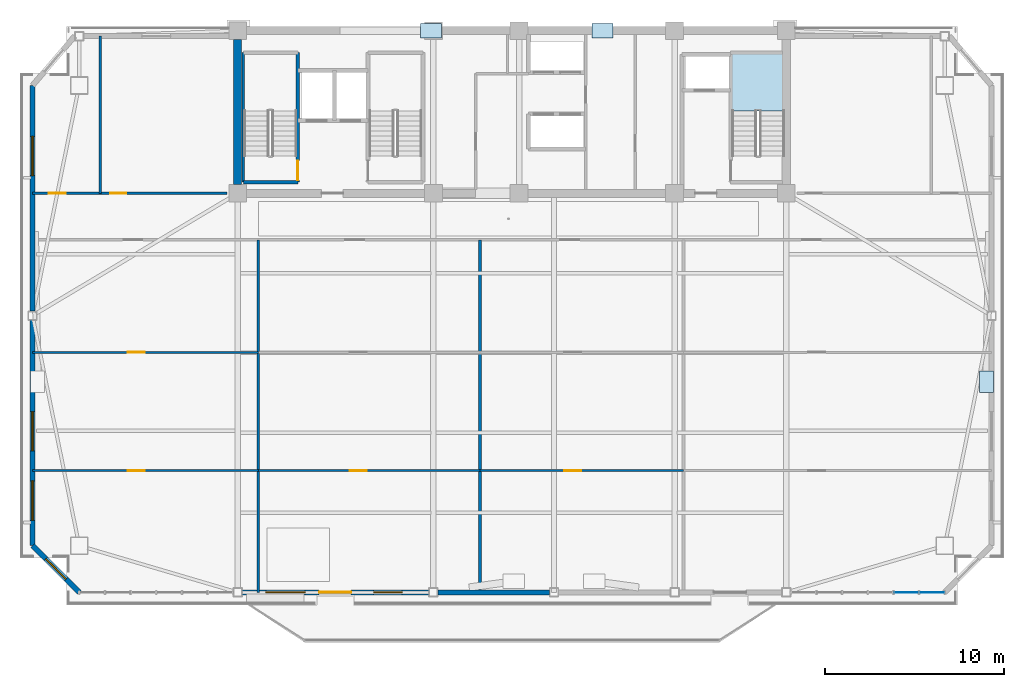
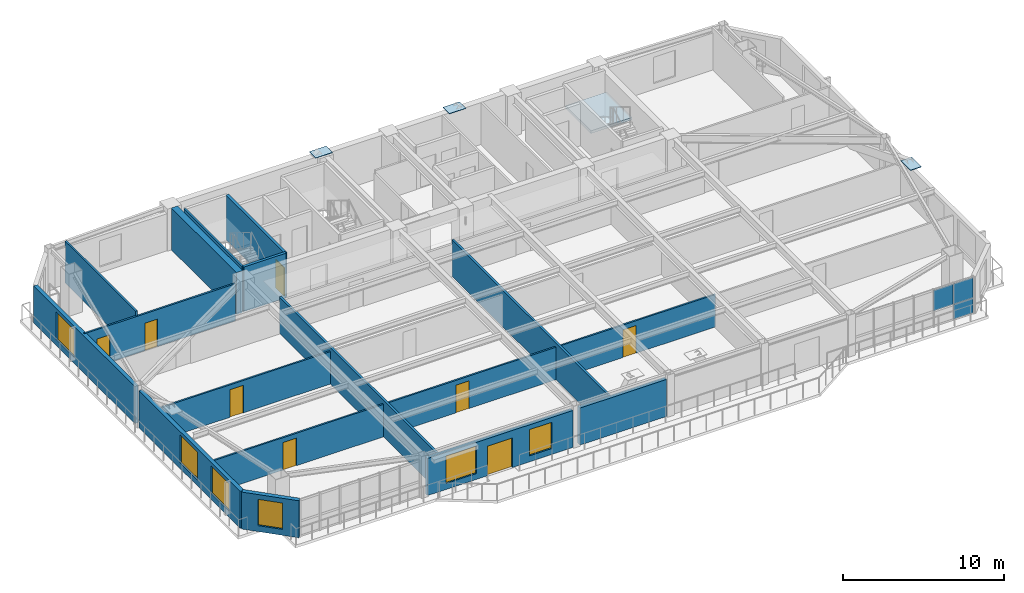
# One storey, part 8 of 17: 17 walls, 8 doors, 6 plates, 6 windows, 1 slab, 14 openings, 2 elements without a shape of their own.
"""IFC4 building model written with IfcOpenShell, lengths in metres."""

from ifc_helpers import new_model, si_unit, direction, frame, frame_2d, origin, origin_2d, place, context, subcontext, project, spatial, polyline, rectangle, outline, extrude, source, transform, mapped, material, layer, layer_set, type_object, element, fill, aggregate, save


model = new_model("IFC4")

# Units and contexts
model_context = context("Model", 3, precision=1e-05, world=origin(), true_north=direction((0.0, 1.0)))
body_context = subcontext(model_context, "Body", "Model", "MODEL_VIEW")
ifc_project = project(units=[si_unit("LENGTHUNIT", "METRE"), si_unit("AREAUNIT", "SQUARE_METRE"), si_unit("VOLUMEUNIT", "CUBIC_METRE"), si_unit("PLANEANGLEUNIT", "RADIAN"), si_unit("MASSUNIT", "GRAM", prefix="KILO")], contexts=[model_context])

# Site, building, storey
site_placement = place(None, origin())
site = spatial("IfcSite", under=ifc_project, at=site_placement, CompositionType="ELEMENT")
building_placement = place(site_placement, origin())
building = spatial("IfcBuilding", under=site, at=building_placement, Name="Giltprow Tower", CompositionType="ELEMENT")
storey_placement = place(building_placement, frame((0.0, 0.0, 251.89990234375)))
storey = spatial("IfcBuildingStorey", under=building, at=storey_placement, Name="L64", CompositionType="ELEMENT", Elevation=251.89990234375)

# Stair, slab
ifc_material_1 = material(Name="Concrete C40", Category="concrete")
stair_type = type_object("IfcStairType", Name="STR-ST-3", PredefinedType="HALF_TURN_STAIR", material=ifc_material_1)
stair_placement = place(storey_placement, origin())
stair = element("IfcStair", 1, at=stair_placement, inside=storey, type_object=stair_type, Name="L64 Core Exit Stair ST-3", PredefinedType="HALF_TURN_STAIR")
ifc_layer_1 = layer(ifc_material_1, 0.196044921875, Name="Concrete C40")
ifc_layer_set_1 = layer_set([ifc_layer_1], Name="Concrete C40")
slab_type = type_object("IfcSlabType", Name="SLD-ST-3", PredefinedType="LANDING", material=ifc_layer_set_1)
slab_placement = place(storey_placement, frame((0.0, 0.0, 1.504150390625)))
slab = element("IfcSlab", 2, at=slab_placement, type_object=slab_type, Name="ST-3 landing 1", PredefinedType="LANDING", context=body_context, shape_type="SweptSolid", body=[
    extrude(outline(polyline([(50.4599609375, 42.070068359375), (50.4599609375, 45.25), (47.5, 45.25), (47.5, 42.070068359375), (50.4599609375, 42.070068359375)])), origin(), (0.0, 0.0, 1.0), 0.196044921875),
])
aggregate(stair, [slab])

# Plates
ifc_material_2 = material(Name="Structural steel Q420GJC", Category="steel")
plate_type_1 = type_object("IfcPlateType", Name="PLT-CAP-SEAL", PredefinedType="USERDEFINED", material=ifc_material_2)
shared_shape_1 = source(origin(), body_context, "Body", "SweptSolid", [
    extrude(rectangle(XDim=1.199951171875, YDim=0.800048828125, at=origin_2d()), origin(), (0.0, 0.0, 1.0), 0.034912109375),
])
for number, where, z_axis, x_axis, name in (
    (3, (30.6669921875, 46.550048828125, 3.24267578125), (0.0, 0.0, 1.0), (1.0, 0.0, 0.0), "Mega-Brace Node L64-N-LB"),
    (4, (40.26708984375, 46.550048828125, 3.24267578125), (0.0, 0.0, 1.0), (1.0, 0.0, 0.0), "Mega-Brace Node L64-N-RB"),
    (5, (61.760009765625, 26.904052734375, 3.3828125), (0.0, 0.0, 1.0), (0.0, 1.0, 0.0), "Mega-Brace Node L64-E-DB"),
):
    element("IfcPlate", number, at=place(storey_placement, frame(where, z_axis=z_axis, x_axis=x_axis)), inside=storey, type_object=plate_type_1, Name=name, ObjectType="SPLICE", PredefinedType="USERDEFINED", context=body_context, shape_type="MappedRepresentation", body=[
        mapped(shared_shape_1, transform((0.0, 0.0, 0.0), x_axis=(1.0, 0.0, 0.0), y_axis=(0.0, 1.0, 0.0), z_axis=(0.0, 0.0, 1.0), scale=1.0)),
    ])

# Curtain wall, plates
ifc_material_3 = material(Name="Anodized bronze", Category="metal")
ifc_layer_2 = layer(ifc_material_3, 0.179931640625, Name="Anodized bronze")
ifc_layer_set_2 = layer_set([ifc_layer_2], Name="Anodized bronze")
curtain_wall_type = type_object("IfcCurtainWallType", Name="CW-RES-SKY", PredefinedType="NOTDEFINED", material=ifc_layer_set_2)
curtain_wall_placement = place(storey_placement, origin())
curtain_wall = element("IfcCurtainWall", 6, at=curtain_wall_placement, inside=storey, type_object=curtain_wall_type, Name="L64 South Recessed Curtain Wall 6", PredefinedType="NOTDEFINED")
ifc_material_4 = material(Name="Insulated glass", Category="glass")
plate_type_2 = type_object("IfcPlateType", Name="CW-PANEL-IGU-28", PredefinedType="CURTAIN_PANEL", material=ifc_material_4)
shared_shape_2 = source(origin(), body_context, "Body", "SweptSolid", [
    extrude(rectangle(XDim=1.406982421875, YDim=0.028076171875, at=origin_2d()), origin(), (0.0, 0.0, 1.0), 1.114013671875),
])
plate_1_placement = place(storey_placement, frame((58.702880859375, 15.113037109375, 0.05419921875), z_axis=(0.0, 0.0, 1.0), x_axis=(1.0, 0.0, 0.0)))
plate_1 = element("IfcPlate", 7, at=plate_1_placement, type_object=plate_type_2, Name="L64 South Recessed Curtain Wall 6 Glazing Panel 6-1", PredefinedType="CURTAIN_PANEL", context=body_context, shape_type="MappedRepresentation", body=[
    mapped(shared_shape_2, transform((0.0, 0.0, 0.0), x_axis=(1.0, 0.0, 0.0), y_axis=(0.0, 1.0, 0.0), z_axis=(0.0, 0.0, 1.0), scale=1.0)),
])
shared_shape_3 = source(origin(), body_context, "Body", "SweptSolid", [
    extrude(rectangle(XDim=1.406982421875, YDim=0.028076171875, at=origin_2d()), origin(), (0.0, 0.0, 1.0), 1.56494140625),
])
plate_2_placement = place(storey_placement, frame((57.26611328125, 15.113037109375, 1.196533203125), z_axis=(0.0, 0.0, 1.0), x_axis=(1.0, 0.0, 0.0)))
plate_2 = element("IfcPlate", 8, at=plate_2_placement, type_object=plate_type_2, Name="L64 South Recessed Curtain Wall 6 Glazing Panel 5-2", PredefinedType="CURTAIN_PANEL", context=body_context, shape_type="MappedRepresentation", body=[
    mapped(shared_shape_3, transform((0.0, 0.0, 0.0), x_axis=(1.0, 0.0, 0.0), y_axis=(0.0, 1.0, 0.0), z_axis=(0.0, 0.0, 1.0), scale=1.0)),
])
plate_3_placement = place(storey_placement, frame((58.702880859375, 15.113037109375, 1.196533203125), z_axis=(0.0, 0.0, 1.0), x_axis=(1.0, 0.0, 0.0)))
plate_3 = element("IfcPlate", 9, at=plate_3_placement, type_object=plate_type_2, Name="L64 South Recessed Curtain Wall 6 Glazing Panel 6-2", PredefinedType="CURTAIN_PANEL", context=body_context, shape_type="MappedRepresentation", body=[
    mapped(shared_shape_3, transform((0.0, 0.0, 0.0), x_axis=(1.0, 0.0, 0.0), y_axis=(0.0, 1.0, 0.0), z_axis=(0.0, 0.0, 1.0), scale=1.0)),
])
aggregate(curtain_wall, [plate_2, plate_1, plate_3])

# Wall, opening, window
ifc_material_5 = material(Name="Precast concrete C40", Category="concrete")
ifc_layer_3 = layer(ifc_material_5, 0.300048828125, Name="Precast concrete C40")
ifc_layer_set_3 = layer_set([ifc_layer_3], Name="Precast concrete C40")
wall_type_1 = type_object("IfcWallType", Name="EW-NOTCH-CHAMFER-300", PredefinedType="SOLIDWALL", material=ifc_layer_set_3)
wall_1_placement = place(storey_placement, frame((8.364013671875, 17.72802734375, 0.0), z_axis=(0.0, 0.0, 1.0), x_axis=(0.707106781187, -0.707106781187, 0.0)))
wall_1 = element("IfcWall", 10, at=wall_1_placement, inside=storey, type_object=wall_type_1, Name="L64 Corner Notch Wall SW", PredefinedType="SOLIDWALL", context=body_context, shape_type="SweptSolid", body=[
    extrude(rectangle(XDim=3.6982421875, YDim=0.300048828125, at=frame_2d((1.84912109375, 0.0))), origin(), (0.0, 0.0, 1.0), 2.815185546875),
])
opening_1_placement = place(wall_1_placement, frame((1.049072265625, 0.0, 0.449951171875)))
opening_1 = element("IfcOpeningElement", 11, at=opening_1_placement, cuts=wall_1, Name="Opening WN17", PredefinedType="OPENING", context=body_context, shape_type="SweptSolid", body=[
    extrude(rectangle(XDim=1.60009765625, YDim=2.0, at=frame_2d((0.800048828125, 1.0))), frame((0.0, 0.159912109375, 0.0), z_axis=(0.0, -1.0, 0.0), x_axis=(1.0, 0.0, 0.0)), (0.0, 0.0, 1.0), 0.320068359375),
])
window_type_1 = type_object("IfcWindowType", Name="WN-COR-1600x2000", PartitioningType="SINGLE_PANEL", PredefinedType="WINDOW", material=ifc_material_4)
shared_shape_4 = source(origin(), body_context, "Body", "SweptSolid", [
    extrude(rectangle(XDim=1.60009765625, YDim=2.0, at=frame_2d((0.800048828125, 1.0))), frame((0.0, 0.030029296875, 0.0), z_axis=(0.0, -1.0, 0.0), x_axis=(1.0, 0.0, 0.0)), (0.0, 0.0, 1.0), 0.06005859375),
])
window_1_placement = place(opening_1_placement, origin())
window_1 = element("IfcWindow", 12, at=window_1_placement, inside=storey, type_object=window_type_1, Name="L64 Corner Notch Window SW", OverallHeight=2.0, OverallWidth=1.60009765625, PartitioningType="SINGLE_PANEL", PredefinedType="WINDOW", context=body_context, shape_type="MappedRepresentation", body=[
    mapped(shared_shape_4, transform((0.0, 0.0, 0.0), x_axis=(1.0, 0.0, 0.0), y_axis=(0.0, 1.0, 0.0), z_axis=(0.0, 0.0, 1.0), scale=1.0)),
])
fill(opening_1, window_1)

# Wall, openings, windows, door
ifc_layer_4 = layer(ifc_material_5, 0.280029296875, Name="Precast concrete C40")
ifc_layer_set_4 = layer_set([ifc_layer_4], Name="Precast concrete C40")
wall_type_2 = type_object("IfcWallType", Name="EW-TOW-BRONZE-280", PredefinedType="SOLIDWALL", material=ifc_layer_set_4)
wall_2_placement = place(storey_placement, frame((20.10009765625, 15.113037109375, 0.0), z_axis=(0.0, 0.0, 1.0), x_axis=(1.0, 0.0, 0.0)))
wall_2 = element("IfcWall", 13, at=wall_2_placement, inside=storey, type_object=wall_type_2, Name="L64 South Expressed Frame Wall 2", PredefinedType="SOLIDWALL", context=body_context, shape_type="SweptSolid", body=[
    extrude(rectangle(XDim=10.449951171875, YDim=0.280029296875, at=frame_2d((5.22509765625, 0.0))), origin(), (0.0, 0.0, 1.0), 2.815185546875),
])
opening_2_placement = place(wall_2_placement, frame((4.300048828125, 0.0, 0.0)))
opening_2 = element("IfcOpeningElement", 14, at=opening_2_placement, cuts=wall_2, Name="Opening ED25", PredefinedType="OPENING", context=body_context, shape_type="SweptSolid", body=[
    extrude(rectangle(XDim=1.800048828125, YDim=2.25, at=frame_2d((0.89990234375, 1.125))), frame((0.0, 0.14990234375, 0.0), z_axis=(0.0, -1.0, 0.0), x_axis=(1.0, 0.0, 0.0)), (0.0, 0.0, 1.0), 0.300048828125),
])
opening_3_placement = place(wall_2_placement, frame((1.320068359375, 0.0, 0.449951171875)))
opening_3 = element("IfcOpeningElement", 15, at=opening_3_placement, cuts=wall_2, Name="Opening WN27", PredefinedType="OPENING", context=body_context, shape_type="SweptSolid", body=[
    extrude(rectangle(XDim=2.199951171875, YDim=2.10009765625, at=frame_2d((1.10009765625, 1.050048828125))), frame((0.0, 0.14990234375, 0.0), z_axis=(0.0, -1.0, 0.0), x_axis=(1.0, 0.0, 0.0)), (0.0, 0.0, 1.0), 0.300048828125),
])
opening_4_placement = place(wall_2_placement, frame((7.35009765625, 0.0, 0.449951171875)))
opening_4 = element("IfcOpeningElement", 16, at=opening_4_placement, cuts=wall_2, Name="Opening WN17", PredefinedType="OPENING", context=body_context, shape_type="SweptSolid", body=[
    extrude(rectangle(XDim=1.60009765625, YDim=2.0, at=frame_2d((0.800048828125, 1.0))), frame((0.0, 0.14990234375, 0.0), z_axis=(0.0, -1.0, 0.0), x_axis=(1.0, 0.0, 0.0)), (0.0, 0.0, 1.0), 0.300048828125),
])
window_2_placement = place(opening_4_placement, origin())
window_2 = element("IfcWindow", 17, at=window_2_placement, inside=storey, type_object=window_type_1, Name="L64 South Window 2B", OverallHeight=2.0, OverallWidth=1.60009765625, PartitioningType="SINGLE_PANEL", PredefinedType="WINDOW", context=body_context, shape_type="MappedRepresentation", body=[
    mapped(shared_shape_4, transform((0.0, 0.0, 0.0), x_axis=(1.0, 0.0, 0.0), y_axis=(0.0, 1.0, 0.0), z_axis=(0.0, 0.0, 1.0), scale=1.0)),
])
fill(opening_4, window_2)
ifc_material_6 = material(Name="Anodized bronze and glass", Category="glass")
door_type_1 = type_object("IfcDoorType", Name="DR-BALC-SLIDE-1800", OperationType="SLIDING_TO_LEFT", PredefinedType="DOOR", material=ifc_material_6)
shared_shape_5 = source(origin(), body_context, "Body", "SweptSolid", [
    extrude(rectangle(XDim=1.800048828125, YDim=2.25, at=frame_2d((0.89990234375, 1.125))), frame((0.0, 0.02490234375, 0.0), z_axis=(0.0, -1.0, 0.0), x_axis=(1.0, 0.0, 0.0)), (0.0, 0.0, 1.0), 0.050048828125),
])
door_1_placement = place(opening_2_placement, origin())
door_1 = element("IfcDoor", 18, at=door_1_placement, inside=storey, type_object=door_type_1, Name="L64 Waterfront Balcony Sliding Door 1", OperationType="SLIDING_TO_LEFT", OverallHeight=2.25, OverallWidth=1.800048828125, PredefinedType="DOOR", context=body_context, shape_type="MappedRepresentation", body=[
    mapped(shared_shape_5, transform((0.0, 0.0, 0.0), x_axis=(1.0, 0.0, 0.0), y_axis=(0.0, 1.0, 0.0), z_axis=(0.0, 0.0, 1.0), scale=1.0)),
])
fill(opening_2, door_1)
window_type_2 = type_object("IfcWindowType", Name="WN-RES-2200x2100", PartitioningType="TRIPLE_PANEL_VERTICAL", PredefinedType="WINDOW", material=ifc_material_4)
shared_shape_6 = source(origin(), body_context, "Body", "SweptSolid", [
    extrude(rectangle(XDim=2.199951171875, YDim=2.10009765625, at=frame_2d((1.10009765625, 1.050048828125))), frame((0.0, 0.030029296875, 0.0), z_axis=(0.0, -1.0, 0.0), x_axis=(1.0, 0.0, 0.0)), (0.0, 0.0, 1.0), 0.06005859375),
])
window_3_placement = place(opening_3_placement, origin())
window_3 = element("IfcWindow", 19, at=window_3_placement, inside=storey, type_object=window_type_2, Name="L64 South Window 2A", OverallHeight=2.10009765625, OverallWidth=2.199951171875, PartitioningType="SINGLE_PANEL", PredefinedType="WINDOW", context=body_context, shape_type="MappedRepresentation", body=[
    mapped(shared_shape_6, transform((0.0, 0.0, 0.0), x_axis=(1.0, 0.0, 0.0), y_axis=(0.0, 1.0, 0.0), z_axis=(0.0, 0.0, 1.0), scale=1.0)),
])
fill(opening_3, window_3)

# Wall
wall_3_placement = place(storey_placement, frame((31.050048828125, 15.113037109375, 0.0), z_axis=(0.0, 0.0, 1.0), x_axis=(1.0, 0.0, 0.0)))
element("IfcWall", 20, at=wall_3_placement, inside=storey, type_object=wall_type_2, Name="L64 South Expressed Frame Wall 3", PredefinedType="SOLIDWALL", context=body_context, shape_type="SweptSolid", body=[
    extrude(rectangle(XDim=6.25, YDim=0.280029296875, at=frame_2d((3.125, 0.0))), origin(), (0.0, 0.0, 1.0), 2.815185546875),
])

# Wall, openings, windows
wall_4_placement = place(storey_placement, frame((8.364013671875, 17.72802734375, 0.0), z_axis=(0.0, 0.0, 1.0), x_axis=(0.0, 1.0, 0.0)))
wall_4 = element("IfcWall", 21, at=wall_4_placement, inside=storey, type_object=wall_type_2, Name="L64 W Wing Masonry Wall 1", PredefinedType="SOLIDWALL", context=body_context, shape_type="SweptSolid", body=[
    extrude(rectangle(XDim=12.62890625, YDim=0.280029296875, at=frame_2d((6.314453125, 0.0))), origin(), (0.0, 0.0, 1.0), 2.815185546875),
])
opening_5_placement = place(wall_4_placement, frame((1.422119140625, 0.0, 0.449951171875)))
opening_5 = element("IfcOpeningElement", 22, at=opening_5_placement, cuts=wall_4, Name="Opening WN27", PredefinedType="OPENING", context=body_context, shape_type="SweptSolid", body=[
    extrude(rectangle(XDim=2.199951171875, YDim=2.10009765625, at=frame_2d((1.10009765625, 1.050048828125))), frame((0.0, 0.14990234375, 0.0), z_axis=(0.0, -1.0, 0.0), x_axis=(1.0, 0.0, 0.0)), (0.0, 0.0, 1.0), 0.300048828125),
])
opening_6_placement = place(wall_4_placement, frame((5.31005859375, 0.0, 0.449951171875)))
opening_6 = element("IfcOpeningElement", 23, at=opening_6_placement, cuts=wall_4, Name="Opening WN27", PredefinedType="OPENING", context=body_context, shape_type="SweptSolid", body=[
    extrude(rectangle(XDim=2.199951171875, YDim=2.10009765625, at=frame_2d((1.10009765625, 1.050048828125))), frame((0.0, 0.14990234375, 0.0), z_axis=(0.0, -1.0, 0.0), x_axis=(1.0, 0.0, 0.0)), (0.0, 0.0, 1.0), 0.300048828125),
])
window_4_placement = place(opening_5_placement, origin())
window_4 = element("IfcWindow", 24, at=window_4_placement, inside=storey, type_object=window_type_2, Name="L64 W Wing Window 1-1A", OverallHeight=2.10009765625, OverallWidth=2.199951171875, PartitioningType="SINGLE_PANEL", PredefinedType="WINDOW", context=body_context, shape_type="MappedRepresentation", body=[
    mapped(shared_shape_6, transform((0.0, 0.0, 0.0), x_axis=(1.0, 0.0, 0.0), y_axis=(0.0, 1.0, 0.0), z_axis=(0.0, 0.0, 1.0), scale=1.0)),
])
fill(opening_5, window_4)
window_5_placement = place(opening_6_placement, origin())
window_5 = element("IfcWindow", 25, at=window_5_placement, inside=storey, type_object=window_type_2, Name="L64 W Wing Window 1-1B", OverallHeight=2.10009765625, OverallWidth=2.199951171875, PartitioningType="SINGLE_PANEL", PredefinedType="WINDOW", context=body_context, shape_type="MappedRepresentation", body=[
    mapped(shared_shape_6, transform((0.0, 0.0, 0.0), x_axis=(1.0, 0.0, 0.0), y_axis=(0.0, 1.0, 0.0), z_axis=(0.0, 0.0, 1.0), scale=1.0)),
])
fill(opening_6, window_5)

# Wall, opening, window
wall_5_placement = place(storey_placement, frame((8.364013671875, 30.85693359375, 0.0), z_axis=(0.0, 0.0, 1.0), x_axis=(0.0, 1.0, 0.0)))
wall_5 = element("IfcWall", 26, at=wall_5_placement, inside=storey, type_object=wall_type_2, Name="L64 W Wing Masonry Wall 2", PredefinedType="SOLIDWALL", context=body_context, shape_type="SweptSolid", body=[
    extrude(rectangle(XDim=12.628173828125, YDim=0.280029296875, at=frame_2d((6.31396484375, 0.0))), origin(), (0.0, 0.0, 1.0), 2.815185546875),
])
opening_7_placement = place(wall_5_placement, frame((7.5830078125, 0.0, 0.449951171875)))
opening_7 = element("IfcOpeningElement", 27, at=opening_7_placement, cuts=wall_5, Name="Opening WN27", PredefinedType="OPENING", context=body_context, shape_type="SweptSolid", body=[
    extrude(rectangle(XDim=2.199951171875, YDim=2.10009765625, at=frame_2d((1.10009765625, 1.050048828125))), frame((0.0, 0.14990234375, 0.0), z_axis=(0.0, -1.0, 0.0), x_axis=(1.0, 0.0, 0.0)), (0.0, 0.0, 1.0), 0.300048828125),
])
window_6_placement = place(opening_7_placement, origin())
window_6 = element("IfcWindow", 28, at=window_6_placement, inside=storey, type_object=window_type_2, Name="L64 W Wing Window 2-1", OverallHeight=2.10009765625, OverallWidth=2.199951171875, PartitioningType="SINGLE_PANEL", PredefinedType="WINDOW", context=body_context, shape_type="MappedRepresentation", body=[
    mapped(shared_shape_6, transform((0.0, 0.0, 0.0), x_axis=(1.0, 0.0, 0.0), y_axis=(0.0, 1.0, 0.0), z_axis=(0.0, 0.0, 1.0), scale=1.0)),
])
fill(opening_7, window_6)

# Walls
ifc_material_7 = material(Name="Gypsum stud partition", Category="gypsum")
ifc_layer_5 = layer(ifc_material_7, 0.159912109375, Name="Gypsum stud partition")
ifc_layer_set_5 = layer_set([ifc_layer_5], Name="Gypsum stud partition")
wall_type_3 = type_object("IfcWallType", Name="IW-DEMISE-160", PredefinedType="PARTITIONING", material=ifc_layer_set_5)
for number, where, z_axis, x_axis, name in (
    (29, (21.0, 15.113037109375, 0.0), (0.0, 0.0, 1.0), (0.0, 1.0, 0.0), "L64 Apartment Party Wall 1"),
    (30, (33.39990234375, 15.113037109375, 0.0), (0.0, 0.0, 1.0), (0.0, 1.0, 0.0), "L64 Apartment Party Wall 2"),
):
    element("IfcWall", number, at=place(storey_placement, frame(where, z_axis=z_axis, x_axis=x_axis)), inside=storey, type_object=wall_type_3, Name=name, PredefinedType="PARTITIONING", context=body_context, shape_type="SweptSolid", body=[
        extrude(rectangle(XDim=19.737060546875, YDim=0.159912109375, at=frame_2d((9.86865234375, 0.0))), origin(), (0.0, 0.0, 1.0), 2.77001953125),
    ])

# Wall, opening, door
ifc_layer_6 = layer(ifc_material_7, 0.1201171875, Name="Gypsum stud partition")
ifc_layer_set_6 = layer_set([ifc_layer_6], Name="Gypsum stud partition")
wall_type_4 = type_object("IfcWallType", Name="IW-ROOM-120", PredefinedType="PARTITIONING", material=ifc_layer_set_6)
wall_6_placement = place(storey_placement, frame((8.364013671875, 21.927978515625, 0.0), z_axis=(0.0, 0.0, 1.0), x_axis=(1.0, 0.0, 0.0)))
wall_6 = element("IfcWall", 31, at=wall_6_placement, inside=storey, type_object=wall_type_4, Name="L64 Special Split 1", PredefinedType="PARTITIONING", context=body_context, shape_type="SweptSolid", body=[
    extrude(rectangle(XDim=12.635986328125, YDim=0.1201171875, at=frame_2d((6.31787109375, 0.0))), origin(), (0.0, 0.0, 1.0), 2.47021484375),
])
opening_8_placement = place(wall_6_placement, frame((5.340087890625, 0.0, 0.0)))
opening_8 = element("IfcOpeningElement", 32, at=opening_8_placement, cuts=wall_6, Name="Opening ID11", PredefinedType="OPENING", context=body_context, shape_type="SweptSolid", body=[
    extrude(rectangle(XDim=0.949951171875, YDim=2.10009765625, at=frame_2d((0.47509765625, 1.050048828125))), frame((0.0, 0.070068359375, 0.0), z_axis=(0.0, -1.0, 0.0), x_axis=(1.0, 0.0, 0.0)), (0.0, 0.0, 1.0), 0.14013671875),
])
ifc_material_8 = material(Name="Engineered timber", Category="wood")
door_type_2 = type_object("IfcDoorType", Name="DR-ROOM-950", OperationType="SINGLE_SWING_RIGHT", PredefinedType="DOOR", material=ifc_material_8)
shared_shape_7 = source(origin(), body_context, "Body", "SweptSolid", [
    extrude(rectangle(XDim=0.949951171875, YDim=2.10009765625, at=frame_2d((0.47509765625, 1.050048828125))), frame((0.0, 0.02490234375, 0.0), z_axis=(0.0, -1.0, 0.0), x_axis=(1.0, 0.0, 0.0)), (0.0, 0.0, 1.0), 0.050048828125),
])
door_2_placement = place(opening_8_placement, origin())
door_2 = element("IfcDoor", 33, at=door_2_placement, inside=storey, type_object=door_type_2, Name="L64 Gourmet Delicatessen Shop 1 South Door", OperationType="SINGLE_SWING_RIGHT", OverallHeight=2.10009765625, OverallWidth=0.949951171875, PredefinedType="DOOR", context=body_context, shape_type="MappedRepresentation", body=[
    mapped(shared_shape_7, transform((0.0, 0.0, 0.0), x_axis=(1.0, 0.0, 0.0), y_axis=(0.0, 1.0, 0.0), z_axis=(0.0, 0.0, 1.0), scale=1.0)),
])
fill(opening_8, door_2)

wall_7_placement = place(storey_placement, frame((8.364013671875, 28.5439453125, 0.0), z_axis=(0.0, 0.0, 1.0), x_axis=(1.0, 0.0, 0.0)))
wall_7 = element("IfcWall", 34, at=wall_7_placement, inside=storey, type_object=wall_type_4, Name="L64 Special Split 2", PredefinedType="PARTITIONING", context=body_context, shape_type="SweptSolid", body=[
    extrude(rectangle(XDim=12.635986328125, YDim=0.1201171875, at=frame_2d((6.31787109375, 0.0))), origin(), (0.0, 0.0, 1.0), 2.47021484375),
])
opening_9_placement = place(wall_7_placement, frame((5.340087890625, 0.0, 0.0)))
opening_9 = element("IfcOpeningElement", 35, at=opening_9_placement, cuts=wall_7, Name="Opening ID11", PredefinedType="OPENING", context=body_context, shape_type="SweptSolid", body=[
    extrude(rectangle(XDim=0.949951171875, YDim=2.10009765625, at=frame_2d((0.47509765625, 1.050048828125))), frame((0.0, 0.070068359375, 0.0), z_axis=(0.0, -1.0, 0.0), x_axis=(1.0, 0.0, 0.0)), (0.0, 0.0, 1.0), 0.14013671875),
])
door_3_placement = place(opening_9_placement, origin())
door_3 = element("IfcDoor", 36, at=door_3_placement, inside=storey, type_object=door_type_2, Name="L64 Gourmet Delicatessen Shop 1 Mid Door", OperationType="SINGLE_SWING_LEFT", OverallHeight=2.10009765625, OverallWidth=0.949951171875, PredefinedType="DOOR", context=body_context, shape_type="MappedRepresentation", body=[
    mapped(shared_shape_7, transform((0.0, 0.0, 0.0), x_axis=(1.0, 0.0, 0.0), y_axis=(0.0, 1.0, 0.0), z_axis=(0.0, 0.0, 1.0), scale=1.0)),
])
fill(opening_9, door_3)

wall_8_placement = place(storey_placement, frame((21.0, 21.927978515625, 0.0), z_axis=(0.0, 0.0, 1.0), x_axis=(1.0, 0.0, 0.0)))
wall_8 = element("IfcWall", 37, at=wall_8_placement, inside=storey, type_object=wall_type_4, Name="L64 Special Split 1", PredefinedType="PARTITIONING", context=body_context, shape_type="SweptSolid", body=[
    extrude(rectangle(XDim=12.39990234375, YDim=0.1201171875, at=frame_2d((6.199951171875, 0.0))), origin(), (0.0, 0.0, 1.0), 2.47021484375),
])
opening_10_placement = place(wall_8_placement, frame((5.1259765625, 0.0, 0.0)))
opening_10 = element("IfcOpeningElement", 38, at=opening_10_placement, cuts=wall_8, Name="Opening ID11", PredefinedType="OPENING", context=body_context, shape_type="SweptSolid", body=[
    extrude(rectangle(XDim=0.949951171875, YDim=2.10009765625, at=frame_2d((0.47509765625, 1.050048828125))), frame((0.0, 0.070068359375, 0.0), z_axis=(0.0, -1.0, 0.0), x_axis=(1.0, 0.0, 0.0)), (0.0, 0.0, 1.0), 0.14013671875),
])
door_4_placement = place(opening_10_placement, origin())
door_4 = element("IfcDoor", 39, at=door_4_placement, inside=storey, type_object=door_type_2, Name="L64 Residents Sky Club Lounge South Door", OperationType="SINGLE_SWING_LEFT", OverallHeight=2.10009765625, OverallWidth=0.949951171875, PredefinedType="DOOR", context=body_context, shape_type="MappedRepresentation", body=[
    mapped(shared_shape_7, transform((0.0, 0.0, 0.0), x_axis=(1.0, 0.0, 0.0), y_axis=(0.0, 1.0, 0.0), z_axis=(0.0, 0.0, 1.0), scale=1.0)),
])
fill(opening_10, door_4)

wall_9_placement = place(storey_placement, frame((33.39990234375, 21.927978515625, 0.0), z_axis=(0.0, 0.0, 1.0), x_axis=(1.0, 0.0, 0.0)))
wall_9 = element("IfcWall", 40, at=wall_9_placement, inside=storey, type_object=wall_type_4, Name="L64 Special Split 1", PredefinedType="PARTITIONING", context=body_context, shape_type="SweptSolid", body=[
    extrude(rectangle(XDim=11.400146484375, YDim=0.1201171875, at=frame_2d((5.7001953125, 0.0))), origin(), (0.0, 0.0, 1.0), 2.47021484375),
])
opening_11_placement = place(wall_9_placement, frame((4.72607421875, 0.0, 0.0)))
opening_11 = element("IfcOpeningElement", 41, at=opening_11_placement, cuts=wall_9, Name="Opening ID11", PredefinedType="OPENING", context=body_context, shape_type="SweptSolid", body=[
    extrude(rectangle(XDim=0.949951171875, YDim=2.10009765625, at=frame_2d((0.47509765625, 1.050048828125))), frame((0.0, 0.070068359375, 0.0), z_axis=(0.0, -1.0, 0.0), x_axis=(1.0, 0.0, 0.0)), (0.0, 0.0, 1.0), 0.14013671875),
])
door_5_placement = place(opening_11_placement, origin())
door_5 = element("IfcDoor", 42, at=door_5_placement, inside=storey, type_object=door_type_2, Name="L64 Residents Sky Club Lounge South Door", OperationType="SINGLE_SWING_RIGHT", OverallHeight=2.10009765625, OverallWidth=0.949951171875, PredefinedType="DOOR", context=body_context, shape_type="MappedRepresentation", body=[
    mapped(shared_shape_7, transform((0.0, 0.0, 0.0), x_axis=(1.0, 0.0, 0.0), y_axis=(0.0, 1.0, 0.0), z_axis=(0.0, 0.0, 1.0), scale=1.0)),
])
fill(opening_11, door_5)

# Wall
ifc_material_9 = material(Name="Concrete C45", Category="concrete")
ifc_layer_7 = layer(ifc_material_9, 0.139892578125, Name="Concrete C45")
ifc_layer_set_7 = layer_set([ifc_layer_7], Name="Concrete C45")
wall_type_5 = type_object("IfcWallType", Name="IW-STAIR-140", PredefinedType="SOLIDWALL", material=ifc_layer_set_7)
wall_10_placement = place(storey_placement, frame((20.169921875, 38.070068359375, 0.0), z_axis=(0.0, 0.0, 1.0), x_axis=(0.0, 1.0, 0.0)))
element("IfcWall", 43, at=wall_10_placement, inside=storey, type_object=wall_type_5, Name="L64 Stair ST-1 West Bearing Wall", PredefinedType="SOLIDWALL", context=body_context, shape_type="SweptSolid", body=[
    extrude(rectangle(XDim=7.25, YDim=0.139892578125, at=frame_2d((3.625, 0.0))), origin(), (0.0, 0.0, 1.0), 3.400146484375),
])

# Wall, opening, door
ifc_layer_8 = layer(ifc_material_1, 0.199951171875, Name="Concrete C40")
ifc_layer_set_8 = layer_set([ifc_layer_8], Name="Concrete C40")
wall_type_6 = type_object("IfcWallType", Name="IW-STAIR-200", PredefinedType="SOLIDWALL", material=ifc_layer_set_8)
wall_11_placement = place(storey_placement, frame((23.219970703125, 38.070068359375, 0.0), z_axis=(0.0, 0.0, 1.0), x_axis=(0.0, 1.0, 0.0)))
wall_11 = element("IfcWall", 44, at=wall_11_placement, inside=storey, type_object=wall_type_6, Name="L64 Stair ST-1 East Bearing Wall", PredefinedType="SOLIDWALL", context=body_context, shape_type="SweptSolid", body=[
    extrude(rectangle(XDim=7.25, YDim=0.199951171875, at=frame_2d((3.625, 0.0))), origin(), (0.0, 0.0, 1.0), 3.400146484375),
])
opening_12_placement = place(wall_11_placement, frame((0.110107421875, 0.0, 0.0)))
opening_12 = element("IfcOpeningElement", 45, at=opening_12_placement, cuts=wall_11, Name="Opening ID33", PredefinedType="OPENING", context=body_context, shape_type="SweptSolid", body=[
    extrude(rectangle(XDim=1.10009765625, YDim=2.14990234375, at=frame_2d((0.550048828125, 1.074951171875))), frame((0.0, 0.10986328125, 0.0), z_axis=(0.0, -1.0, 0.0), x_axis=(1.0, 0.0, 0.0)), (0.0, 0.0, 1.0), 0.219970703125),
])
ifc_material_10 = material(Name="Steel fire leaf", Category="steel")
door_type_3 = type_object("IfcDoorType", Name="DR-STAIR-1100", OperationType="SINGLE_SWING_LEFT", PredefinedType="DOOR", material=ifc_material_10)
shared_shape_8 = source(origin(), body_context, "Body", "SweptSolid", [
    extrude(rectangle(XDim=1.10009765625, YDim=2.14990234375, at=frame_2d((0.550048828125, 1.074951171875))), frame((0.0, 0.02490234375, 0.0), z_axis=(0.0, -1.0, 0.0), x_axis=(1.0, 0.0, 0.0)), (0.0, 0.0, 1.0), 0.050048828125),
])
door_6_placement = place(opening_12_placement, origin())
door_6 = element("IfcDoor", 46, at=door_6_placement, inside=storey, type_object=door_type_3, Name="L64 Stair ST-1 Fire Door", OperationType="SINGLE_SWING_RIGHT", OverallHeight=2.14990234375, OverallWidth=1.10009765625, PredefinedType="DOOR", context=body_context, shape_type="MappedRepresentation", body=[
    mapped(shared_shape_8, transform((0.0, 0.0, 0.0), x_axis=(1.0, 0.0, 0.0), y_axis=(0.0, 1.0, 0.0), z_axis=(0.0, 0.0, 1.0), scale=1.0)),
])
fill(opening_12, door_6)

# Wall
wall_12_placement = place(storey_placement, frame((20.169921875, 38.070068359375, 0.0), z_axis=(0.0, 0.0, 1.0), x_axis=(1.0, 0.0, 0.0)))
element("IfcWall", 47, at=wall_12_placement, inside=storey, type_object=wall_type_6, Name="L64 Stair ST-1 South Bearing Wall", PredefinedType="SOLIDWALL", context=body_context, shape_type="SweptSolid", body=[
    extrude(rectangle(XDim=3.050048828125, YDim=0.199951171875, at=frame_2d((1.52490234375, 0.0))), origin(), (0.0, 0.0, 1.0), 3.400146484375),
])

# Wall, openings, doors
ifc_material_11 = material(Name="Concrete C30", Category="concrete")
ifc_layer_9 = layer(ifc_material_11, 0.1298828125, Name="Concrete C30")
ifc_layer_set_9 = layer_set([ifc_layer_9], Name="Concrete C30")
wall_type_7 = type_object("IfcWallType", Name="IW-WET-130", PredefinedType="PARTITIONING", material=ifc_layer_set_9)
wall_13_placement = place(storey_placement, frame((8.364013671875, 37.449951171875, 0.0), z_axis=(0.0, 0.0, 1.0), x_axis=(1.0, 0.0, 0.0)))
wall_13 = element("IfcWall", 48, at=wall_13_placement, inside=storey, type_object=wall_type_7, Name="L64 NW Wing South Wall", PredefinedType="PARTITIONING", context=body_context, shape_type="SweptSolid", body=[
    extrude(rectangle(XDim=10.885986328125, YDim=0.1298828125, at=frame_2d((5.44287109375, 0.0))), origin(), (0.0, 0.0, 1.0), 2.820068359375),
])
opening_13_placement = place(wall_13_placement, frame((0.89990234375, 0.0, 0.0)))
opening_13 = element("IfcOpeningElement", 49, at=opening_13_placement, cuts=wall_13, Name="Opening ID11", PredefinedType="OPENING", context=body_context, shape_type="SweptSolid", body=[
    extrude(rectangle(XDim=0.949951171875, YDim=2.10009765625, at=frame_2d((0.47509765625, 1.050048828125))), frame((0.0, 0.074951171875, 0.0), z_axis=(0.0, -1.0, 0.0), x_axis=(1.0, 0.0, 0.0)), (0.0, 0.0, 1.0), 0.14990234375),
])
opening_14_placement = place(wall_13_placement, frame((4.34912109375, 0.0, 0.0)))
opening_14 = element("IfcOpeningElement", 50, at=opening_14_placement, cuts=wall_13, Name="Opening ID15", PredefinedType="OPENING", context=body_context, shape_type="SweptSolid", body=[
    extrude(rectangle(XDim=0.89990234375, YDim=2.10009765625, at=frame_2d((0.449951171875, 1.050048828125))), frame((0.0, 0.074951171875, 0.0), z_axis=(0.0, -1.0, 0.0), x_axis=(1.0, 0.0, 0.0)), (0.0, 0.0, 1.0), 0.14990234375),
])
door_type_4 = type_object("IfcDoorType", Name="DR-WC-900", OperationType="SINGLE_SWING_LEFT", PredefinedType="DOOR", material=ifc_material_8)
shared_shape_9 = source(origin(), body_context, "Body", "SweptSolid", [
    extrude(rectangle(XDim=0.89990234375, YDim=2.10009765625, at=frame_2d((0.449951171875, 1.050048828125))), frame((0.0, 0.02490234375, 0.0), z_axis=(0.0, -1.0, 0.0), x_axis=(1.0, 0.0, 0.0)), (0.0, 0.0, 1.0), 0.050048828125),
])
door_7_placement = place(opening_14_placement, origin())
door_7 = element("IfcDoor", 51, at=door_7_placement, inside=storey, type_object=door_type_4, Name="L64 NW Washroom Door", OperationType="SINGLE_SWING_LEFT", OverallHeight=2.10009765625, OverallWidth=0.89990234375, PredefinedType="DOOR", context=body_context, shape_type="MappedRepresentation", body=[
    mapped(shared_shape_9, transform((0.0, 0.0, 0.0), x_axis=(1.0, 0.0, 0.0), y_axis=(0.0, 1.0, 0.0), z_axis=(0.0, 0.0, 1.0), scale=1.0)),
])
fill(opening_14, door_7)
door_8_placement = place(opening_13_placement, origin())
door_8 = element("IfcDoor", 52, at=door_8_placement, inside=storey, type_object=door_type_2, Name="L64 Residents Study Office West Door", OperationType="SINGLE_SWING_RIGHT", OverallHeight=2.10009765625, OverallWidth=0.949951171875, PredefinedType="DOOR", context=body_context, shape_type="MappedRepresentation", body=[
    mapped(shared_shape_7, transform((0.0, 0.0, 0.0), x_axis=(1.0, 0.0, 0.0), y_axis=(0.0, 1.0, 0.0), z_axis=(0.0, 0.0, 1.0), scale=1.0)),
])
fill(opening_13, door_8)

# Walls
wall_14_placement = place(storey_placement, frame((12.1630859375, 37.449951171875, 0.0), z_axis=(0.0, 0.0, 1.0), x_axis=(0.0, 1.0, 0.0)))
element("IfcWall", 53, at=wall_14_placement, inside=storey, type_object=wall_type_7, Name="L64 NW Wing Divider", PredefinedType="PARTITIONING", context=body_context, shape_type="SweptSolid", body=[
    extrude(rectangle(XDim=8.800048828125, YDim=0.1298828125, at=frame_2d((4.39990234375, 0.0))), origin(), (0.0, 0.0, 1.0), 3.18505859375),
])
ifc_material_12 = material(Name="Concrete C50", Category="concrete")
ifc_layer_10 = layer(ifc_material_12, 0.449951171875, Name="Concrete C50")
ifc_layer_set_10 = layer_set([ifc_layer_10], Name="Concrete C50")
wall_type_8 = type_object("IfcWallType", Name="SW-INT-450-C50", PredefinedType="SHEAR", material=ifc_layer_set_10)
wall_15_placement = place(storey_placement, frame((19.85009765625, 37.949951171875, 0.0), z_axis=(0.0, 0.0, 1.0), x_axis=(0.0, 1.0, 0.0)))
element("IfcWall", 54, at=wall_15_placement, inside=storey, type_object=wall_type_8, Name="L64 W Rear Core Shear Wall", PredefinedType="SHEAR", context=body_context, shape_type="SweptSolid", body=[
    extrude(rectangle(XDim=8.10009765625, YDim=0.449951171875, at=frame_2d((4.050048828125, 0.0))), origin(), (0.0, 0.0, 1.0), 3.18505859375),
])

save(model, "model.ifc")
